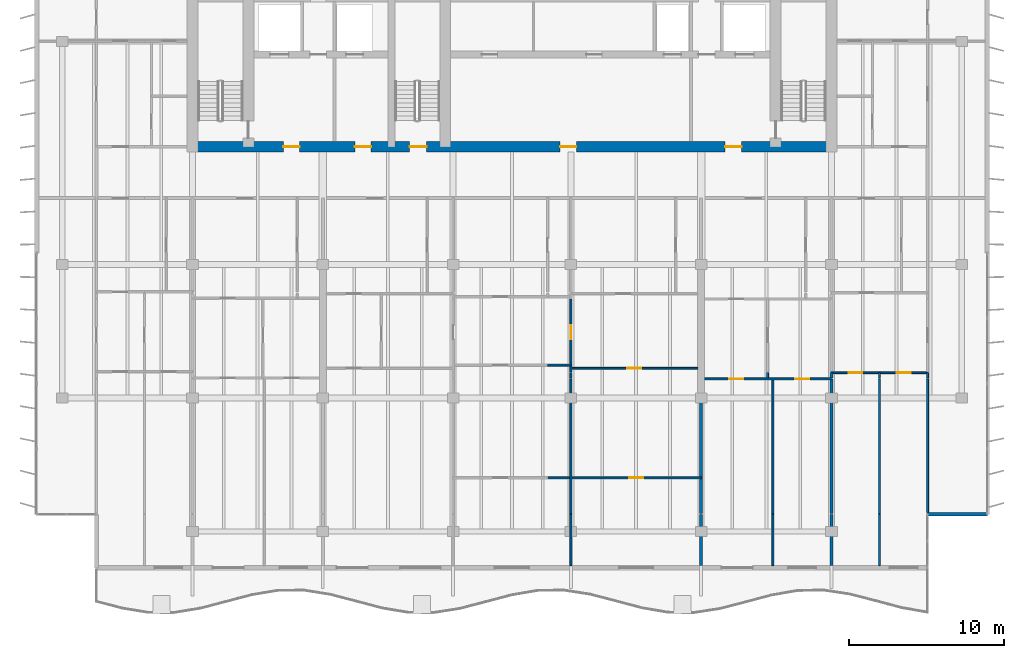
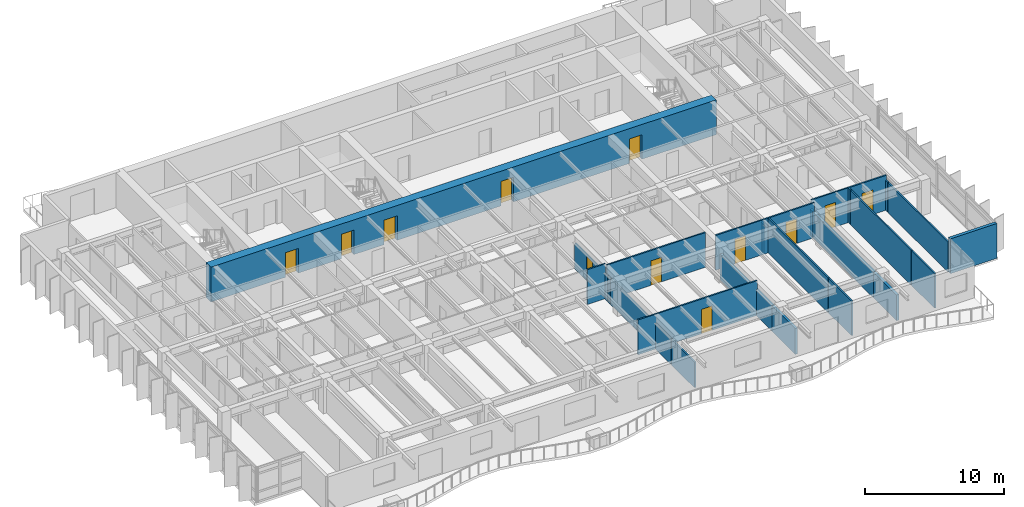
# One storey, part 8 of 17: 24 walls, 12 doors, 12 openings.
"""IFC4 building model written with IfcOpenShell, lengths in metres."""

from ifc_helpers import new_model, si_unit, direction, frame, frame_2d, origin, place, context, subcontext, project, spatial, rectangle, extrude, material, layer, layer_set, type_object, element, fill, save


model = new_model("IFC4")

# Units and contexts
model_context = context("Model", 3, precision=1e-05, world=origin(), true_north=direction((0.0, 1.0)))
body_context = subcontext(model_context, "Body", "Model", "MODEL_VIEW")
ifc_project = project(units=[si_unit("LENGTHUNIT", "METRE"), si_unit("AREAUNIT", "SQUARE_METRE"), si_unit("VOLUMEUNIT", "CUBIC_METRE"), si_unit("PLANEANGLEUNIT", "RADIAN"), si_unit("MASSUNIT", "GRAM", prefix="KILO")], contexts=[model_context])

# Site, building, storey
site_placement = place(None, origin())
site = spatial("IfcSite", under=ifc_project, at=site_placement, CompositionType="ELEMENT")
building_placement = place(site_placement, origin())
building = spatial("IfcBuilding", under=site, at=building_placement, Name="Caelmar Bay Residences", CompositionType="ELEMENT")
storey_placement = place(building_placement, frame((0.0, 0.0, 246.300048828125)))
storey = spatial("IfcBuildingStorey", under=building, at=storey_placement, Name="L69", CompositionType="ELEMENT", Elevation=246.300048828125)

# Wall, openings, doors
ifc_material_1 = material(Name="Concrete f'c 55 MPa (8,000 psi)", Category="concrete")
ifc_layer_1 = layer(ifc_material_1, 0.699951171875)
ifc_layer_set_1 = layer_set([ifc_layer_1], Name="Concrete f'c 55 MPa (8,000 psi)")
wall_type_1 = type_object("IfcWallType", Name="SW-COR-700", PredefinedType="SHEAR", material=ifc_layer_set_1)
wall_1_placement = place(storey_placement, frame((17.949951171875, 37.0, 0.0), z_axis=(0.0, 0.0, 1.0), x_axis=(1.0, 0.0, 0.0)))
wall_1 = element("IfcWall", 1, at=wall_1_placement, inside=storey, type_object=wall_type_1, Name="L69 Rear Core South Shear Wall", PredefinedType="SHEAR", context=body_context, shape_type="SweptSolid", body=[
    extrude(rectangle(XDim=41.900146484375, YDim=0.699951171875, at=frame_2d((20.9501953125, 0.0))), origin(), (0.0, 0.0, 1.0), 3.050048828125),
])
opening_1_placement = place(wall_1_placement, frame((14.35009765625, 0.0, 0.0)))
opening_1 = element("IfcOpeningElement", 2, at=opening_1_placement, cuts=wall_1, Name="Opening D-L69-105", PredefinedType="OPENING", context=body_context, shape_type="SweptSolid", body=[
    extrude(rectangle(XDim=1.10009765625, YDim=2.14990234375, at=frame_2d((0.550048828125, 1.074951171875))), frame((0.0, 0.35986328125, 0.0), z_axis=(0.0, -1.0, 0.0), x_axis=(1.0, 0.0, 0.0)), (0.0, 0.0, 1.0), 0.719970703125),
])
opening_2_placement = place(wall_1_placement, frame((6.199951171875, 0.0, 0.0)))
opening_2 = element("IfcOpeningElement", 3, at=opening_2_placement, cuts=wall_1, Name="Opening D-L69-106", PredefinedType="OPENING", context=body_context, shape_type="SweptSolid", body=[
    extrude(rectangle(XDim=1.050048828125, YDim=2.14990234375, at=frame_2d((0.52490234375, 1.074951171875))), frame((0.0, 0.35986328125, 0.0), z_axis=(0.0, -1.0, 0.0), x_axis=(1.0, 0.0, 0.0)), (0.0, 0.0, 1.0), 0.719970703125),
])
opening_3_placement = place(wall_1_placement, frame((34.699951171875, 0.0, 0.0)))
opening_3 = element("IfcOpeningElement", 4, at=opening_3_placement, cuts=wall_1, Name="Opening D-L69-109", PredefinedType="OPENING", context=body_context, shape_type="SweptSolid", body=[
    extrude(rectangle(XDim=1.050048828125, YDim=2.14990234375, at=frame_2d((0.52490234375, 1.074951171875))), frame((0.0, 0.35986328125, 0.0), z_axis=(0.0, -1.0, 0.0), x_axis=(1.0, 0.0, 0.0)), (0.0, 0.0, 1.0), 0.719970703125),
])
opening_4_placement = place(wall_1_placement, frame((10.8125, 0.0, 0.0)))
opening_4 = element("IfcOpeningElement", 5, at=opening_4_placement, cuts=wall_1, Name="Opening D-L69-112", PredefinedType="OPENING", context=body_context, shape_type="SweptSolid", body=[
    extrude(rectangle(XDim=1.050048828125, YDim=2.14990234375, at=frame_2d((0.52490234375, 1.074951171875))), frame((0.0, 0.35986328125, 0.0), z_axis=(0.0, -1.0, 0.0), x_axis=(1.0, 0.0, 0.0)), (0.0, 0.0, 1.0), 0.719970703125),
])
opening_5_placement = place(wall_1_placement, frame((24.050048828125, 0.0, 0.0)))
opening_5 = element("IfcOpeningElement", 6, at=opening_5_placement, cuts=wall_1, Name="Opening D-L69-113", PredefinedType="OPENING", context=body_context, shape_type="SweptSolid", body=[
    extrude(rectangle(XDim=1.050048828125, YDim=2.14990234375, at=frame_2d((0.52490234375, 1.074951171875))), frame((0.0, 0.35986328125, 0.0), z_axis=(0.0, -1.0, 0.0), x_axis=(1.0, 0.0, 0.0)), (0.0, 0.0, 1.0), 0.719970703125),
])
ifc_material_2 = material(Name="Fire-rated steel and walnut architectural door assembly", Category="steel")
ifc_layer_2 = layer(ifc_material_2, 0.050048828125)
ifc_layer_set_2 = layer_set([ifc_layer_2], Name="Fire-rated steel and walnut architectural door assembly")
door_type_1 = type_object("IfcDoorType", Name="D-FSAE-1050", OperationType="NOTDEFINED", PredefinedType="DOOR", material=ifc_layer_set_2)
door_1_placement = place(opening_2_placement, origin())
door_1 = element("IfcDoor", 7, at=door_1_placement, inside=storey, type_object=door_type_1, Name="L69 Firefighting Lobby West Door", OperationType="SINGLE_SWING_LEFT", OverallHeight=2.14990234375, OverallWidth=1.050048828125, PredefinedType="DOOR", context=body_context, shape_type="SweptSolid", body=[
    extrude(rectangle(XDim=1.050048828125, YDim=2.14990234375, at=frame_2d((0.52490234375, 1.074951171875))), frame((0.0, 0.02490234375, 0.0), z_axis=(0.0, -1.0, 0.0), x_axis=(1.0, 0.0, 0.0)), (0.0, 0.0, 1.0), 0.050048828125),
])
fill(opening_2, door_1)
door_2_placement = place(opening_3_placement, origin())
door_2 = element("IfcDoor", 8, at=door_2_placement, inside=storey, type_object=door_type_1, Name="L69 Firefighting Lobby East Door", OperationType="SINGLE_SWING_RIGHT", OverallHeight=2.14990234375, OverallWidth=1.050048828125, PredefinedType="DOOR", context=body_context, shape_type="SweptSolid", body=[
    extrude(rectangle(XDim=1.050048828125, YDim=2.14990234375, at=frame_2d((0.52490234375, 1.074951171875))), frame((0.0, 0.02490234375, 0.0), z_axis=(0.0, -1.0, 0.0), x_axis=(1.0, 0.0, 0.0)), (0.0, 0.0, 1.0), 0.050048828125),
])
fill(opening_3, door_2)
door_3_placement = place(opening_4_placement, origin())
door_3 = element("IfcDoor", 9, at=door_3_placement, inside=storey, type_object=door_type_1, Name="L69 West Lift Lobby Door", OperationType="SINGLE_SWING_LEFT", OverallHeight=2.14990234375, OverallWidth=1.050048828125, PredefinedType="DOOR", context=body_context, shape_type="SweptSolid", body=[
    extrude(rectangle(XDim=1.050048828125, YDim=2.14990234375, at=frame_2d((0.52490234375, 1.074951171875))), frame((0.0, 0.02490234375, 0.0), z_axis=(0.0, -1.0, 0.0), x_axis=(1.0, 0.0, 0.0)), (0.0, 0.0, 1.0), 0.050048828125),
])
fill(opening_4, door_3)
door_4_placement = place(opening_5_placement, origin())
door_4 = element("IfcDoor", 10, at=door_4_placement, inside=storey, type_object=door_type_1, Name="L69 Passenger Lift Lobby Door", OperationType="SINGLE_SWING_RIGHT", OverallHeight=2.14990234375, OverallWidth=1.050048828125, PredefinedType="DOOR", context=body_context, shape_type="SweptSolid", body=[
    extrude(rectangle(XDim=1.050048828125, YDim=2.14990234375, at=frame_2d((0.52490234375, 1.074951171875))), frame((0.0, 0.02490234375, 0.0), z_axis=(0.0, -1.0, 0.0), x_axis=(1.0, 0.0, 0.0)), (0.0, 0.0, 1.0), 0.050048828125),
])
fill(opening_5, door_4)
ifc_layer_3 = layer(ifc_material_2, 0.050048828125)
ifc_layer_set_3 = layer_set([ifc_layer_3], Name="Fire-rated steel and walnut architectural door assembly")
door_type_2 = type_object("IfcDoorType", Name="D-STAIR-1100", OperationType="NOTDEFINED", PredefinedType="DOOR", material=ifc_layer_set_3)
door_5_placement = place(opening_1_placement, origin())
door_5 = element("IfcDoor", 11, at=door_5_placement, inside=storey, type_object=door_type_2, Name="L69 Exit Stair ST3 Door", OperationType="SINGLE_SWING_RIGHT", OverallHeight=2.14990234375, OverallWidth=1.10009765625, PredefinedType="DOOR", context=body_context, shape_type="SweptSolid", body=[
    extrude(rectangle(XDim=1.10009765625, YDim=2.14990234375, at=frame_2d((0.550048828125, 1.074951171875))), frame((0.0, 0.02490234375, 0.0), z_axis=(0.0, -1.0, 0.0), x_axis=(1.0, 0.0, 0.0)), (0.0, 0.0, 1.0), 0.050048828125),
])
fill(opening_1, door_5)

# Walls
ifc_material_3 = material(Name="Precast concrete f'c 40 MPa (6,000 psi)", Category="concrete")
ifc_layer_4 = layer(ifc_material_3, 0.25)
ifc_layer_set_4 = layer_set([ifc_layer_4], Name="Precast concrete f'c 40 MPa (6,000 psi)")
wall_type_2 = type_object("IfcWallType", Name="W-EXT-250", PredefinedType="ELEMENTEDWALL", material=ifc_layer_set_4)
wall_2_placement = place(storey_placement, frame((65.699951171875, 13.300048828125, 0.0), z_axis=(0.0, 0.0, 1.0), x_axis=(1.0, 0.0, 0.0)))
element("IfcWall", 12, at=wall_2_placement, inside=storey, type_object=wall_type_2, Name="L69 SE Notch Return Wall", PredefinedType="ELEMENTEDWALL", context=body_context, shape_type="SweptSolid", body=[
    extrude(rectangle(XDim=3.85009765625, YDim=0.25, at=frame_2d((1.925048828125, 0.0))), origin(), (0.0, 0.0, 1.0), 3.050048828125),
])
ifc_material_4 = material(Name="Acoustic metal-stud gypsum partition 120 mm")
ifc_layer_5 = layer(ifc_material_4, 0.1201171875)
ifc_layer_set_5 = layer_set([ifc_layer_5], Name="Acoustic metal-stud gypsum partition 120 mm")
wall_type_3 = type_object("IfcWallType", Name="W-PRT-120", PredefinedType="PARTITIONING", material=ifc_layer_set_5)
wall_3_placement = place(storey_placement, frame((42.699951171875, 9.9951171875, 0.0), z_axis=(0.0, 0.0, 1.0), x_axis=(0.0, 1.0, 0.0)))
element("IfcWall", 13, at=wall_3_placement, inside=storey, type_object=wall_type_3, Name="L69 Partition Wall V048", PredefinedType="PARTITIONING", context=body_context, shape_type="SweptSolid", body=[
    extrude(rectangle(XDim=3.304931640625, YDim=0.1201171875, at=frame_2d((1.65234375, 0.0))), origin(), (0.0, 0.0, 1.0), 2.262939453125),
])
wall_4_placement = place(storey_placement, frame((42.699951171875, 13.340087890625, 0.0), z_axis=(0.0, 0.0, 1.0), x_axis=(0.0, 1.0, 0.0)))
element("IfcWall", 14, at=wall_4_placement, inside=storey, type_object=wall_type_3, Name="L69 Partition Wall V049", PredefinedType="PARTITIONING", context=body_context, shape_type="SweptSolid", body=[
    extrude(rectangle(XDim=8.68994140625, YDim=0.1201171875, at=frame_2d((4.344970703125, 0.0))), origin(), (0.0, 0.0, 1.0), 2.262939453125),
])
wall_5_placement = place(storey_placement, frame((42.699951171875, 22.090087890625, 0.0), z_axis=(0.0, 0.0, 1.0), x_axis=(0.0, 1.0, 0.0)))
element("IfcWall", 15, at=wall_5_placement, inside=storey, type_object=wall_type_3, Name="L69 Partition Wall V050", PredefinedType="PARTITIONING", context=body_context, shape_type="SweptSolid", body=[
    extrude(rectangle(XDim=0.33984375, YDim=0.1201171875, at=frame_2d((0.169921875, 0.0))), origin(), (0.0, 0.0, 1.0), 2.262939453125),
])

# Wall, opening, door
wall_6_placement = place(storey_placement, frame((42.699951171875, 22.489990234375, 0.0), z_axis=(0.0, 0.0, 1.0), x_axis=(0.0, 1.0, 0.0)))
wall_6 = element("IfcWall", 16, at=wall_6_placement, inside=storey, type_object=wall_type_3, Name="L69 Partition Wall V051", PredefinedType="PARTITIONING", context=body_context, shape_type="SweptSolid", body=[
    extrude(rectangle(XDim=4.68994140625, YDim=0.1201171875, at=frame_2d((2.344970703125, 0.0))), origin(), (0.0, 0.0, 1.0), 2.262939453125),
])
opening_6_placement = place(wall_6_placement, frame((2.110107421875, 0.0, 0.0)))
opening_6 = element("IfcOpeningElement", 17, at=opening_6_placement, cuts=wall_6, Name="Opening D-L69-144", PredefinedType="OPENING", context=body_context, shape_type="SweptSolid", body=[
    extrude(rectangle(XDim=0.89990234375, YDim=2.14990234375, at=frame_2d((0.449951171875, 1.074951171875))), frame((0.0, 0.070068359375, 0.0), z_axis=(0.0, -1.0, 0.0), x_axis=(1.0, 0.0, 0.0)), (0.0, 0.0, 1.0), 0.14013671875),
])
ifc_material_5 = material(Name="Solid walnut timber interior door leaf and frame", Category="wood")
ifc_layer_6 = layer(ifc_material_5, 0.050048828125)
ifc_layer_set_6 = layer_set([ifc_layer_6], Name="Solid walnut timber interior door leaf and frame")
door_type_3 = type_object("IfcDoorType", Name="D-ROOM-900", OperationType="NOTDEFINED", PredefinedType="DOOR", material=ifc_layer_set_6)
door_6_placement = place(opening_6_placement, origin())
door_6 = element("IfcDoor", 18, at=door_6_placement, inside=storey, type_object=door_type_3, Name="L69 Residence 03 Formal Dining Room 2 Door", OperationType="SINGLE_SWING_LEFT", OverallHeight=2.14990234375, OverallWidth=0.89990234375, PredefinedType="DOOR", context=body_context, shape_type="SweptSolid", body=[
    extrude(rectangle(XDim=0.89990234375, YDim=2.14990234375, at=frame_2d((0.449951171875, 1.074951171875))), frame((0.0, 0.02490234375, 0.0), z_axis=(0.0, -1.0, 0.0), x_axis=(1.0, 0.0, 0.0)), (0.0, 0.0, 1.0), 0.050048828125),
])
fill(opening_6, door_6)

# Walls
wall_7_placement = place(storey_placement, frame((55.385986328125, 22.090087890625, 0.0), z_axis=(0.0, 0.0, 1.0), x_axis=(0.0, 1.0, 0.0)))
element("IfcWall", 19, at=wall_7_placement, inside=storey, type_object=wall_type_3, Name="L69 Partition Wall V064", PredefinedType="PARTITIONING", context=body_context, shape_type="SweptSolid", body=[
    extrude(rectangle(XDim=0.33984375, YDim=0.1201171875, at=frame_2d((0.169921875, 0.0))), origin(), (0.0, 0.0, 1.0), 2.577880859375),
])
wall_8_placement = place(storey_placement, frame((55.719970703125, 9.9951171875, 0.0), z_axis=(0.0, 0.0, 1.0), x_axis=(0.0, 1.0, 0.0)))
element("IfcWall", 20, at=wall_8_placement, inside=storey, type_object=wall_type_3, Name="L69 Partition Wall V066", PredefinedType="PARTITIONING", context=body_context, shape_type="SweptSolid", body=[
    extrude(rectangle(XDim=3.304931640625, YDim=0.1201171875, at=frame_2d((1.65234375, 0.0))), origin(), (0.0, 0.0, 1.0), 3.050048828125),
])
wall_9_placement = place(storey_placement, frame((55.719970703125, 13.340087890625, 0.0), z_axis=(0.0, 0.0, 1.0), x_axis=(0.0, 1.0, 0.0)))
element("IfcWall", 21, at=wall_9_placement, inside=storey, type_object=wall_type_3, Name="L69 Partition Wall V067", PredefinedType="PARTITIONING", context=body_context, shape_type="SweptSolid", body=[
    extrude(rectangle(XDim=8.68994140625, YDim=0.1201171875, at=frame_2d((4.344970703125, 0.0))), origin(), (0.0, 0.0, 1.0), 3.050048828125),
])
wall_10_placement = place(storey_placement, frame((62.60009765625, 9.9951171875, 0.0), z_axis=(0.0, 0.0, 1.0), x_axis=(0.0, 1.0, 0.0)))
element("IfcWall", 22, at=wall_10_placement, inside=storey, type_object=wall_type_3, Name="L69 Partition Wall V078", PredefinedType="PARTITIONING", context=body_context, shape_type="SweptSolid", body=[
    extrude(rectangle(XDim=3.304931640625, YDim=0.1201171875, at=frame_2d((1.65234375, 0.0))), origin(), (0.0, 0.0, 1.0), 3.050048828125),
])
wall_11_placement = place(storey_placement, frame((62.60009765625, 13.340087890625, 0.0), z_axis=(0.0, 0.0, 1.0), x_axis=(0.0, 1.0, 0.0)))
element("IfcWall", 23, at=wall_11_placement, inside=storey, type_object=wall_type_3, Name="L69 Partition Wall V079", PredefinedType="PARTITIONING", context=body_context, shape_type="SweptSolid", body=[
    extrude(rectangle(XDim=8.68994140625, YDim=0.1201171875, at=frame_2d((4.344970703125, 0.0))), origin(), (0.0, 0.0, 1.0), 3.050048828125),
])
wall_12_placement = place(storey_placement, frame((62.60009765625, 22.090087890625, 0.0), z_axis=(0.0, 0.0, 1.0), x_axis=(0.0, 1.0, 0.0)))
element("IfcWall", 24, at=wall_12_placement, inside=storey, type_object=wall_type_3, Name="L69 Partition Wall V080", PredefinedType="PARTITIONING", context=body_context, shape_type="SweptSolid", body=[
    extrude(rectangle(XDim=0.33984375, YDim=0.1201171875, at=frame_2d((0.169921875, 0.0))), origin(), (0.0, 0.0, 1.0), 3.050048828125),
])
wall_13_placement = place(storey_placement, frame((65.699951171875, 13.419921875, 0.0), z_axis=(0.0, 0.0, 1.0), x_axis=(0.0, 1.0, 0.0)))
element("IfcWall", 25, at=wall_13_placement, inside=storey, type_object=wall_type_3, Name="L69 Partition Wall V082", PredefinedType="PARTITIONING", context=body_context, shape_type="SweptSolid", body=[
    extrude(rectangle(XDim=8.610107421875, YDim=0.1201171875, at=frame_2d((4.30517578125, 0.0))), origin(), (0.0, 0.0, 1.0), 2.62890625),
])
wall_14_placement = place(storey_placement, frame((65.699951171875, 22.090087890625, 0.0), z_axis=(0.0, 0.0, 1.0), x_axis=(0.0, 1.0, 0.0)))
element("IfcWall", 26, at=wall_14_placement, inside=storey, type_object=wall_type_3, Name="L69 Partition Wall V083", PredefinedType="PARTITIONING", context=body_context, shape_type="SweptSolid", body=[
    extrude(rectangle(XDim=0.33984375, YDim=0.1201171875, at=frame_2d((0.169921875, 0.0))), origin(), (0.0, 0.0, 1.0), 2.62890625),
])

# Wall, opening, door
wall_15_placement = place(storey_placement, frame((41.199951171875, 15.64990234375, 0.0), z_axis=(0.0, 0.0, 1.0), x_axis=(1.0, 0.0, 0.0)))
wall_15 = element("IfcWall", 27, at=wall_15_placement, inside=storey, type_object=wall_type_3, Name="L69 Partition Wall H090", PredefinedType="PARTITIONING", context=body_context, shape_type="SweptSolid", body=[
    extrude(rectangle(XDim=9.900146484375, YDim=0.1201171875, at=frame_2d((4.9501953125, 0.0))), origin(), (0.0, 0.0, 1.0), 3.050048828125),
])
opening_7_placement = place(wall_15_placement, frame((5.25, 0.0, 0.0)))
opening_7 = element("IfcOpeningElement", 28, at=opening_7_placement, cuts=wall_15, Name="Opening D-L69-148", PredefinedType="OPENING", context=body_context, shape_type="SweptSolid", body=[
    extrude(rectangle(XDim=0.89990234375, YDim=2.14990234375, at=frame_2d((0.449951171875, 1.074951171875))), frame((0.0, 0.070068359375, 0.0), z_axis=(0.0, -1.0, 0.0), x_axis=(1.0, 0.0, 0.0)), (0.0, 0.0, 1.0), 0.14013671875),
])
door_7_placement = place(opening_7_placement, origin())
door_7 = element("IfcDoor", 29, at=door_7_placement, inside=storey, type_object=door_type_3, Name="L69 Residence 03 Primary Bedroom 2 Door", OperationType="SINGLE_SWING_LEFT", OverallHeight=2.14990234375, OverallWidth=0.89990234375, PredefinedType="DOOR", context=body_context, shape_type="SweptSolid", body=[
    extrude(rectangle(XDim=0.89990234375, YDim=2.14990234375, at=frame_2d((0.449951171875, 1.074951171875))), frame((0.0, 0.02490234375, 0.0), z_axis=(0.0, -1.0, 0.0), x_axis=(1.0, 0.0, 0.0)), (0.0, 0.0, 1.0), 0.050048828125),
])
fill(opening_7, door_7)

# Wall, openings, doors
wall_16_placement = place(storey_placement, frame((51.320068359375, 22.030029296875, 0.0), z_axis=(0.0, 0.0, 1.0), x_axis=(1.0, 0.0, 0.0)))
wall_16 = element("IfcWall", 30, at=wall_16_placement, inside=storey, type_object=wall_type_3, Name="L69 Partition Wall H091", PredefinedType="PARTITIONING", context=body_context, shape_type="SweptSolid", body=[
    extrude(rectangle(XDim=8.179931640625, YDim=0.1201171875, at=frame_2d((4.08984375, 0.0))), origin(), (0.0, 0.0, 1.0), 3.050048828125),
])
opening_8_placement = place(wall_16_placement, frame((1.5830078125, 0.0, 0.0)))
opening_8 = element("IfcOpeningElement", 31, at=opening_8_placement, cuts=wall_16, Name="Opening D-L69-153", PredefinedType="OPENING", context=body_context, shape_type="SweptSolid", body=[
    extrude(rectangle(XDim=0.89990234375, YDim=2.14990234375, at=frame_2d((0.449951171875, 1.074951171875))), frame((0.0, 0.070068359375, 0.0), z_axis=(0.0, -1.0, 0.0), x_axis=(1.0, 0.0, 0.0)), (0.0, 0.0, 1.0), 0.14013671875),
])
opening_9_placement = place(wall_16_placement, frame((5.840087890625, 0.0, 0.0)))
opening_9 = element("IfcOpeningElement", 32, at=opening_9_placement, cuts=wall_16, Name="Opening D-L69-154", PredefinedType="OPENING", context=body_context, shape_type="SweptSolid", body=[
    extrude(rectangle(XDim=0.89990234375, YDim=2.14990234375, at=frame_2d((0.449951171875, 1.074951171875))), frame((0.0, 0.070068359375, 0.0), z_axis=(0.0, -1.0, 0.0), x_axis=(1.0, 0.0, 0.0)), (0.0, 0.0, 1.0), 0.14013671875),
])
door_8_placement = place(opening_8_placement, origin())
door_8 = element("IfcDoor", 33, at=door_8_placement, inside=storey, type_object=door_type_3, Name="L69 Residence 04 Living Room Door", OperationType="SINGLE_SWING_RIGHT", OverallHeight=2.14990234375, OverallWidth=0.89990234375, PredefinedType="DOOR", context=body_context, shape_type="SweptSolid", body=[
    extrude(rectangle(XDim=0.89990234375, YDim=2.14990234375, at=frame_2d((0.449951171875, 1.074951171875))), frame((0.0, 0.02490234375, 0.0), z_axis=(0.0, -1.0, 0.0), x_axis=(1.0, 0.0, 0.0)), (0.0, 0.0, 1.0), 0.050048828125),
])
fill(opening_8, door_8)
door_9_placement = place(opening_9_placement, origin())
door_9 = element("IfcDoor", 34, at=door_9_placement, inside=storey, type_object=door_type_3, Name="L69 Residence 04 Primary Bedroom Door", OperationType="SINGLE_SWING_LEFT", OverallHeight=2.14990234375, OverallWidth=0.89990234375, PredefinedType="DOOR", context=body_context, shape_type="SweptSolid", body=[
    extrude(rectangle(XDim=0.89990234375, YDim=2.14990234375, at=frame_2d((0.449951171875, 1.074951171875))), frame((0.0, 0.02490234375, 0.0), z_axis=(0.0, -1.0, 0.0), x_axis=(1.0, 0.0, 0.0)), (0.0, 0.0, 1.0), 0.050048828125),
])
fill(opening_9, door_9)

wall_17_placement = place(storey_placement, frame((59.5, 22.429931640625, 0.0), z_axis=(0.0, 0.0, 1.0), x_axis=(1.0, 0.0, 0.0)))
wall_17 = element("IfcWall", 35, at=wall_17_placement, inside=storey, type_object=wall_type_3, Name="L69 Partition Wall H093", PredefinedType="PARTITIONING", context=body_context, shape_type="SweptSolid", body=[
    extrude(rectangle(XDim=6.199951171875, YDim=0.1201171875, at=frame_2d((3.10009765625, 0.0))), origin(), (0.0, 0.0, 1.0), 3.050048828125),
])
opening_10_placement = place(wall_17_placement, frame((1.10009765625, 0.0, 0.0)))
opening_10 = element("IfcOpeningElement", 36, at=opening_10_placement, cuts=wall_17, Name="Opening D-L69-158", PredefinedType="OPENING", context=body_context, shape_type="SweptSolid", body=[
    extrude(rectangle(XDim=0.89990234375, YDim=2.14990234375, at=frame_2d((0.449951171875, 1.074951171875))), frame((0.0, 0.070068359375, 0.0), z_axis=(0.0, -1.0, 0.0), x_axis=(1.0, 0.0, 0.0)), (0.0, 0.0, 1.0), 0.14013671875),
])
opening_11_placement = place(wall_17_placement, frame((4.199951171875, 0.0, 0.0)))
opening_11 = element("IfcOpeningElement", 37, at=opening_11_placement, cuts=wall_17, Name="Opening D-L69-159", PredefinedType="OPENING", context=body_context, shape_type="SweptSolid", body=[
    extrude(rectangle(XDim=0.89990234375, YDim=2.14990234375, at=frame_2d((0.449951171875, 1.074951171875))), frame((0.0, 0.070068359375, 0.0), z_axis=(0.0, -1.0, 0.0), x_axis=(1.0, 0.0, 0.0)), (0.0, 0.0, 1.0), 0.14013671875),
])
door_10_placement = place(opening_10_placement, origin())
door_10 = element("IfcDoor", 38, at=door_10_placement, inside=storey, type_object=door_type_3, Name="L69 Residence 05 Living Room Door", OperationType="SINGLE_SWING_LEFT", OverallHeight=2.14990234375, OverallWidth=0.89990234375, PredefinedType="DOOR", context=body_context, shape_type="SweptSolid", body=[
    extrude(rectangle(XDim=0.89990234375, YDim=2.14990234375, at=frame_2d((0.449951171875, 1.074951171875))), frame((0.0, 0.02490234375, 0.0), z_axis=(0.0, -1.0, 0.0), x_axis=(1.0, 0.0, 0.0)), (0.0, 0.0, 1.0), 0.050048828125),
])
fill(opening_10, door_10)
door_11_placement = place(opening_11_placement, origin())
door_11 = element("IfcDoor", 39, at=door_11_placement, inside=storey, type_object=door_type_3, Name="L69 Residence 05 Primary Bedroom Door", OperationType="SINGLE_SWING_RIGHT", OverallHeight=2.14990234375, OverallWidth=0.89990234375, PredefinedType="DOOR", context=body_context, shape_type="SweptSolid", body=[
    extrude(rectangle(XDim=0.89990234375, YDim=2.14990234375, at=frame_2d((0.449951171875, 1.074951171875))), frame((0.0, 0.02490234375, 0.0), z_axis=(0.0, -1.0, 0.0), x_axis=(1.0, 0.0, 0.0)), (0.0, 0.0, 1.0), 0.050048828125),
])
fill(opening_11, door_11)

# Wall, opening, door
wall_18_placement = place(storey_placement, frame((42.699951171875, 22.719970703125, 0.0), z_axis=(0.0, 0.0, 1.0), x_axis=(1.0, 0.0, 0.0)))
wall_18 = element("IfcWall", 40, at=wall_18_placement, inside=storey, type_object=wall_type_3, Name="L69 Partition Wall H097", PredefinedType="PARTITIONING", context=body_context, shape_type="SweptSolid", body=[
    extrude(rectangle(XDim=8.179931640625, YDim=0.1201171875, at=frame_2d((4.08984375, 0.0))), origin(), (0.0, 0.0, 1.0), 3.050048828125),
])
opening_12_placement = place(wall_18_placement, frame((3.639892578125, 0.0, 0.0)))
opening_12 = element("IfcOpeningElement", 41, at=opening_12_placement, cuts=wall_18, Name="Opening D-L69-147", PredefinedType="OPENING", context=body_context, shape_type="SweptSolid", body=[
    extrude(rectangle(XDim=0.89990234375, YDim=2.14990234375, at=frame_2d((0.449951171875, 1.074951171875))), frame((0.0, 0.070068359375, 0.0), z_axis=(0.0, -1.0, 0.0), x_axis=(1.0, 0.0, 0.0)), (0.0, 0.0, 1.0), 0.14013671875),
])
door_12_placement = place(opening_12_placement, origin())
door_12 = element("IfcDoor", 42, at=door_12_placement, inside=storey, type_object=door_type_3, Name="L69 Residence 03 Penthouse Sitting Salon 2 Door", OperationType="SINGLE_SWING_RIGHT", OverallHeight=2.14990234375, OverallWidth=0.89990234375, PredefinedType="DOOR", context=body_context, shape_type="SweptSolid", body=[
    extrude(rectangle(XDim=0.89990234375, YDim=2.14990234375, at=frame_2d((0.449951171875, 1.074951171875))), frame((0.0, 0.02490234375, 0.0), z_axis=(0.0, -1.0, 0.0), x_axis=(1.0, 0.0, 0.0)), (0.0, 0.0, 1.0), 0.050048828125),
])
fill(opening_12, door_12)

# Walls
wall_19_placement = place(storey_placement, frame((41.199951171875, 22.919921875, 0.0), z_axis=(0.0, 0.0, 1.0), x_axis=(1.0, 0.0, 0.0)))
element("IfcWall", 43, at=wall_19_placement, inside=storey, type_object=wall_type_3, Name="L69 Partition Wall H099", PredefinedType="PARTITIONING", context=body_context, shape_type="SweptSolid", body=[
    extrude(rectangle(XDim=1.5, YDim=0.1201171875, at=frame_2d((0.75, 0.0))), origin(), (0.0, 0.0, 1.0), 3.050048828125),
])
ifc_material_6 = material(Name="Acoustic twin-stud fire-rated inter-tenancy partition 200 mm")
ifc_layer_7 = layer(ifc_material_6, 0.199951171875)
ifc_layer_set_7 = layer_set([ifc_layer_7], Name="Acoustic twin-stud fire-rated inter-tenancy partition 200 mm")
wall_type_4 = type_object("IfcWallType", Name="W-PTY-200", PredefinedType="PARTITIONING", material=ifc_layer_set_7)
wall_20_placement = place(storey_placement, frame((51.10009765625, 9.9951171875, 0.0), z_axis=(0.0, 0.0, 1.0), x_axis=(0.0, 1.0, 0.0)))
element("IfcWall", 44, at=wall_20_placement, inside=storey, type_object=wall_type_4, Name="L69 Partition Wall V060", PredefinedType="PARTITIONING", context=body_context, shape_type="SweptSolid", body=[
    extrude(rectangle(XDim=3.304931640625, YDim=0.199951171875, at=frame_2d((1.65234375, 0.0))), origin(), (0.0, 0.0, 1.0), 2.262939453125),
])
wall_21_placement = place(storey_placement, frame((51.10009765625, 13.340087890625, 0.0), z_axis=(0.0, 0.0, 1.0), x_axis=(0.0, 1.0, 0.0)))
element("IfcWall", 45, at=wall_21_placement, inside=storey, type_object=wall_type_4, Name="L69 Partition Wall V061", PredefinedType="PARTITIONING", context=body_context, shape_type="SweptSolid", body=[
    extrude(rectangle(XDim=7.454833984375, YDim=0.199951171875, at=frame_2d((3.7275390625, 0.0))), origin(), (0.0, 0.0, 1.0), 2.262939453125),
])
wall_22_placement = place(storey_placement, frame((59.5, 9.9951171875, 0.0), z_axis=(0.0, 0.0, 1.0), x_axis=(0.0, 1.0, 0.0)))
element("IfcWall", 46, at=wall_22_placement, inside=storey, type_object=wall_type_4, Name="L69 Partition Wall V071", PredefinedType="PARTITIONING", context=body_context, shape_type="SweptSolid", body=[
    extrude(rectangle(XDim=3.304931640625, YDim=0.199951171875, at=frame_2d((1.65234375, 0.0))), origin(), (0.0, 0.0, 1.0), 2.262939453125),
])
wall_23_placement = place(storey_placement, frame((59.5, 13.340087890625, 0.0), z_axis=(0.0, 0.0, 1.0), x_axis=(0.0, 1.0, 0.0)))
element("IfcWall", 47, at=wall_23_placement, inside=storey, type_object=wall_type_4, Name="L69 Partition Wall V072", PredefinedType="PARTITIONING", context=body_context, shape_type="SweptSolid", body=[
    extrude(rectangle(XDim=8.68994140625, YDim=0.199951171875, at=frame_2d((4.344970703125, 0.0))), origin(), (0.0, 0.0, 1.0), 2.262939453125),
])
wall_24_placement = place(storey_placement, frame((59.5, 22.090087890625, 0.0), z_axis=(0.0, 0.0, 1.0), x_axis=(0.0, 1.0, 0.0)))
element("IfcWall", 48, at=wall_24_placement, inside=storey, type_object=wall_type_4, Name="L69 Partition Wall V073", PredefinedType="PARTITIONING", context=body_context, shape_type="SweptSolid", body=[
    extrude(rectangle(XDim=0.33984375, YDim=0.199951171875, at=frame_2d((0.169921875, 0.0))), origin(), (0.0, 0.0, 1.0), 2.262939453125),
])

save(model, "model.ifc")
